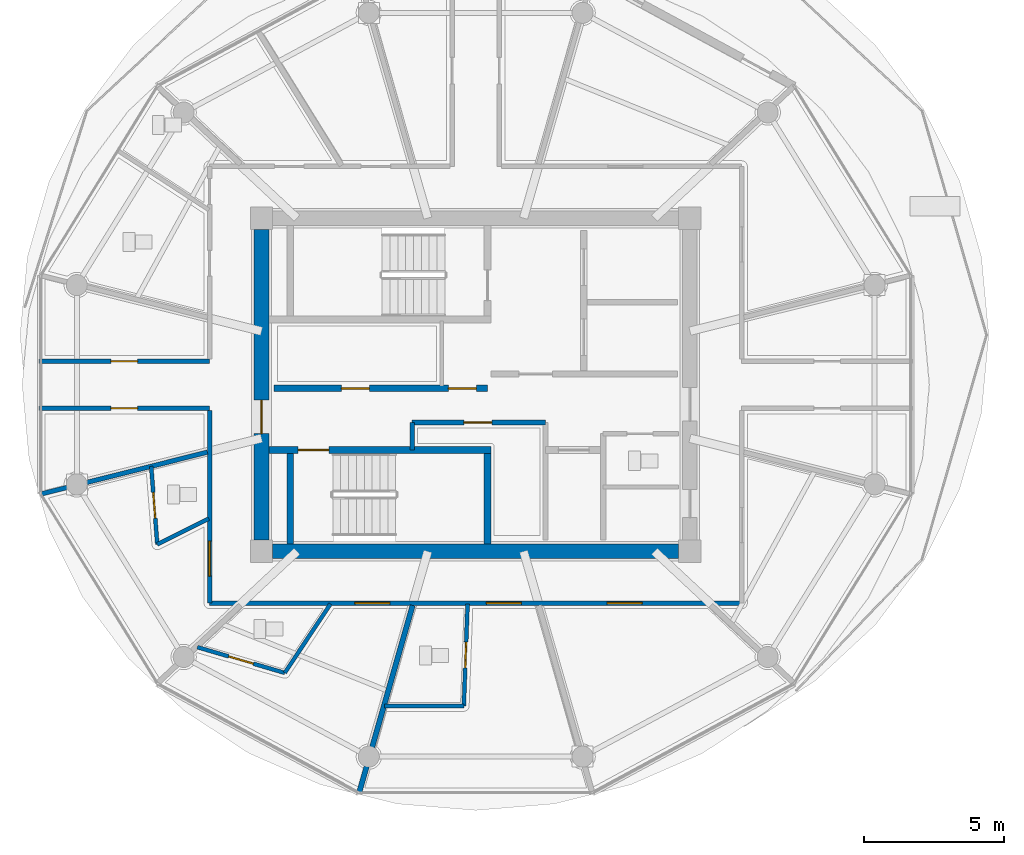
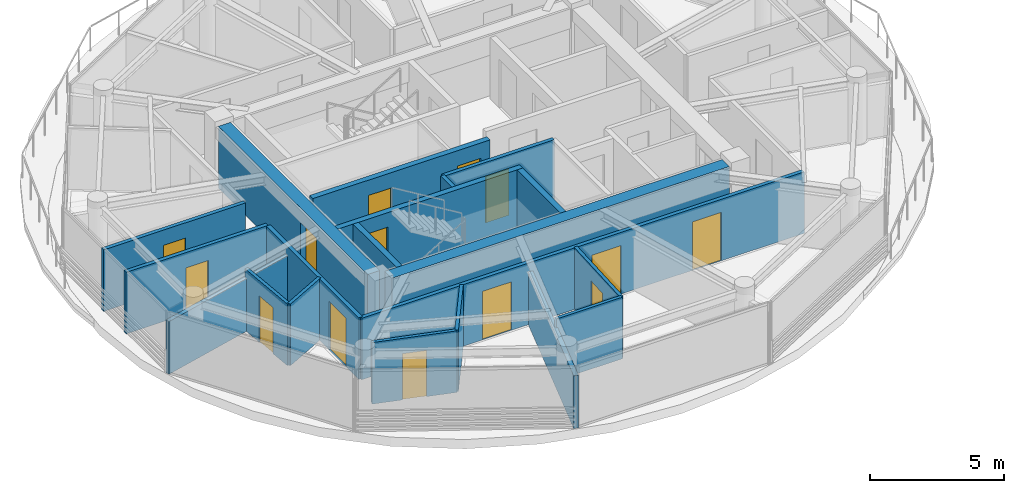
# One storey, part 10 of 28: 20 walls, 14 doors, 14 openings.
"""IFC4 building model written with IfcOpenShell, lengths in metres."""

from ifc_helpers import new_model, si_unit, direction, frame, frame_2d, origin, place, context, subcontext, project, spatial, rectangle, extrude, source, transform, mapped, material, layer, layer_set, type_object, type_shapes, element, fill, save


model = new_model("IFC4")

# Units and contexts
model_context = context("Model", 3, precision=1e-05, world=origin(), true_north=direction((0.0, 1.0)))
body_context = subcontext(model_context, "Body", "Model", "MODEL_VIEW")
ifc_project = project(units=[si_unit("LENGTHUNIT", "METRE"), si_unit("AREAUNIT", "SQUARE_METRE"), si_unit("VOLUMEUNIT", "CUBIC_METRE"), si_unit("PLANEANGLEUNIT", "RADIAN"), si_unit("MASSUNIT", "GRAM", prefix="KILO")], contexts=[model_context])

# Site, building, storey
site_placement = place(None, origin())
site = spatial("IfcSite", under=ifc_project, at=site_placement, CompositionType="ELEMENT")
building_placement = place(site_placement, origin())
building = spatial("IfcBuilding", under=site, at=building_placement, Name="Norrkilde Senior Care Towers", CompositionType="ELEMENT")
storey_placement = place(building_placement, frame((0.0, 0.0, 190.64990234375)))
storey = spatial("IfcBuildingStorey", under=building, at=storey_placement, Name="L59", CompositionType="ELEMENT", Elevation=190.64990234375)

# Wall
ifc_material_1 = material(Name="Concrete C50/60", Category="concrete")
ifc_layer_1 = layer(ifc_material_1, 0.52001953125)
ifc_layer_set_1 = layer_set([ifc_layer_1], Name="Concrete C50/60")
wall_type_1 = type_object("IfcWallType", Name="Core Shear Wall Z4 520", PredefinedType="SHEAR", material=ifc_layer_set_1)
shared_shape_1 = source(origin(), body_context, "Body", "SweptSolid", [
    extrude(rectangle(XDim=14.5, YDim=0.52001953125, at=frame_2d((7.25, 0.0))), origin(), (0.0, 0.0, 1.0), 2.81005859375),
])
wall_1_placement = place(storey_placement, frame((-20.75, -5.949951171875, 0.0), z_axis=(0.0, 0.0, 1.0), x_axis=(-1.0, 0.0, 0.0)))
element("IfcWall", 1, at=wall_1_placement, inside=storey, type_object=wall_type_1, Name="L59 Core W South Shear Wall", PredefinedType="SHEAR", context=body_context, shape_type="MappedRepresentation", body=[
    mapped(shared_shape_1, transform((0.0, 0.0, 0.0), x_axis=(1.0, 0.0, 0.0), y_axis=(0.0, 1.0, 0.0), z_axis=(0.0, 0.0, 1.0), scale=1.0)),
])

# Wall, opening, door
shared_shape_2 = source(origin(), body_context, "Body", "SweptSolid", [
    extrude(rectangle(XDim=11.10009765625, YDim=0.52001953125, at=frame_2d((5.550048828125, 0.0))), origin(), (0.0, 0.0, 1.0), 2.81005859375),
])
type_shapes(wall_type_1, [shared_shape_1, shared_shape_2])
wall_2_placement = place(storey_placement, frame((-35.64990234375, -5.550048828125, 0.0), z_axis=(0.0, 0.0, 1.0), x_axis=(0.0, 1.0, 0.0)))
wall_2 = element("IfcWall", 2, at=wall_2_placement, inside=storey, type_object=wall_type_1, Name="L59 Core W West Shear Wall", PredefinedType="SHEAR", context=body_context, shape_type="MappedRepresentation", body=[
    mapped(shared_shape_2, transform((0.0, 0.0, 0.0), x_axis=(1.0, 0.0, 0.0), y_axis=(0.0, 1.0, 0.0), z_axis=(0.0, 0.0, 1.0), scale=1.0)),
])
opening_1_placement = place(wall_2_placement, frame((3.800048828125, 0.0, 0.0)))
opening_1 = element("IfcOpeningElement", 3, at=opening_1_placement, cuts=wall_2, Name="Opening D-04", PredefinedType="OPENING", context=body_context, shape_type="SweptSolid", body=[
    extrude(rectangle(XDim=1.199951171875, YDim=2.14990234375, at=frame_2d((0.60009765625, 1.074951171875))), frame((0.0, 0.27001953125, 0.0), z_axis=(0.0, -1.0, 0.0), x_axis=(1.0, 0.0, 0.0)), (0.0, 0.0, 1.0), 0.5400390625),
])
ifc_material_2 = material(Name="Galvanised Painted Steel", Category="steel")
door_type_1 = type_object("IfcDoorType", Name="Firefighting Lobby Fire Door 1200x2150", OperationType="NOTDEFINED", PredefinedType="DOOR", material=ifc_material_2)
shared_shape_3 = source(origin(), body_context, "Body", "SweptSolid", [
    extrude(rectangle(XDim=1.199951171875, YDim=2.14990234375, at=frame_2d((0.60009765625, 1.074951171875))), frame((0.0, 0.02490234375, 0.0), z_axis=(0.0, -1.0, 0.0), x_axis=(1.0, 0.0, 0.0)), (0.0, 0.0, 1.0), 0.050048828125),
])
type_shapes(door_type_1, [shared_shape_3])
door_1_placement = place(opening_1_placement, frame((1.199951171875, 0.0, 0.0), z_axis=(0.0, 0.0, 1.0), x_axis=(-1.0, 0.0, 0.0)))
door_1 = element("IfcDoor", 4, at=door_1_placement, inside=storey, type_object=door_type_1, Name="L59 Core W West Portal Door", OperationType="SINGLE_SWING_LEFT", OverallHeight=2.14990234375, OverallWidth=1.199951171875, PredefinedType="DOOR", context=body_context, shape_type="MappedRepresentation", body=[
    mapped(shared_shape_3, transform((0.0, 0.0, 0.0), x_axis=(1.0, 0.0, 0.0), y_axis=(0.0, 1.0, 0.0), z_axis=(0.0, 0.0, 1.0), scale=1.0)),
])
fill(opening_1, door_1)

# Wall, openings, doors
ifc_material_3 = material(Name="Concrete C45/55", Category="concrete")
ifc_layer_2 = layer(ifc_material_3, 0.239990234375)
ifc_layer_set_2 = layer_set([ifc_layer_2], Name="Concrete C45/55")
wall_type_2 = type_object("IfcWallType", Name="Lift and Plant Rated Enclosure Partition 240", PredefinedType="PARTITIONING", material=ifc_layer_set_2)
shared_shape_4 = source(origin(), body_context, "Body", "SweptSolid", [
    extrude(rectangle(XDim=7.619873046875, YDim=0.239990234375, at=frame_2d((3.81005859375, 0.0))), origin(), (0.0, 0.0, 1.0), 2.795166015625),
])
type_shapes(wall_type_2, [shared_shape_4])
wall_3_placement = place(storey_placement, frame((-35.199951171875, -0.1298828125, 0.0), z_axis=(0.0, 0.0, 1.0), x_axis=(1.0, 0.0, 0.0)))
wall_3 = element("IfcWall", 5, at=wall_3_placement, inside=storey, type_object=wall_type_2, Name="WL-INT-L59-W-PKAS", PredefinedType="PARTITIONING", context=body_context, shape_type="MappedRepresentation", body=[
    mapped(shared_shape_4, transform((0.0, 0.0, 0.0), x_axis=(1.0, 0.0, 0.0), y_axis=(0.0, 1.0, 0.0), z_axis=(0.0, 0.0, 1.0), scale=1.0)),
])
opening_2_placement = place(wall_3_placement, frame((6.219970703125, 0.0, 0.0)))
opening_2 = element("IfcOpeningElement", 6, at=opening_2_placement, cuts=wall_3, Name="Opening D-10", PredefinedType="OPENING", context=body_context, shape_type="SweptSolid", body=[
    extrude(rectangle(XDim=1.0, YDim=2.10009765625, at=frame_2d((0.5, 1.050048828125))), frame((0.0, 0.1298828125, 0.0), z_axis=(0.0, -1.0, 0.0), x_axis=(1.0, 0.0, 0.0)), (0.0, 0.0, 1.0), 0.260009765625),
])
opening_3_placement = place(wall_3_placement, frame((2.39990234375, 0.0, 0.0)))
opening_3 = element("IfcOpeningElement", 7, at=opening_3_placement, cuts=wall_3, Name="Opening D-10", PredefinedType="OPENING", context=body_context, shape_type="SweptSolid", body=[
    extrude(rectangle(XDim=1.0, YDim=2.10009765625, at=frame_2d((0.5, 1.050048828125))), frame((0.0, 0.1298828125, 0.0), z_axis=(0.0, -1.0, 0.0), x_axis=(1.0, 0.0, 0.0)), (0.0, 0.0, 1.0), 0.260009765625),
])
door_type_2 = type_object("IfcDoorType", Name="Plant and Riser Rated Door 1000x2100", OperationType="NOTDEFINED", PredefinedType="DOOR", material=ifc_material_2)
shared_shape_5 = source(origin(), body_context, "Body", "SweptSolid", [
    extrude(rectangle(XDim=1.0, YDim=2.10009765625, at=frame_2d((0.5, 1.050048828125))), frame((0.0, 0.02490234375, 0.0), z_axis=(0.0, -1.0, 0.0), x_axis=(1.0, 0.0, 0.0)), (0.0, 0.0, 1.0), 0.050048828125),
])
type_shapes(door_type_2, [shared_shape_5])
door_2_placement = place(opening_2_placement, frame((1.0, 0.0, 0.0), z_axis=(0.0, 0.0, 1.0), x_axis=(-1.0, 0.0, 0.0)))
door_2 = element("IfcDoor", 8, at=door_2_placement, inside=storey, type_object=door_type_2, Name="L59 Electrical Riser W Door", OperationType="SINGLE_SWING_LEFT", OverallHeight=2.10009765625, OverallWidth=1.0, PredefinedType="DOOR", context=body_context, shape_type="MappedRepresentation", body=[
    mapped(shared_shape_5, transform((0.0, 0.0, 0.0), x_axis=(1.0, 0.0, 0.0), y_axis=(0.0, 1.0, 0.0), z_axis=(0.0, 0.0, 1.0), scale=1.0)),
])
fill(opening_2, door_2)
door_3_placement = place(opening_3_placement, frame((1.0, 0.0, 0.0), z_axis=(0.0, 0.0, 1.0), x_axis=(-1.0, 0.0, 0.0)))
door_3 = element("IfcDoor", 9, at=door_3_placement, inside=storey, type_object=door_type_2, Name="L59 Clean Supply Store W Door", OperationType="SINGLE_SWING_LEFT", OverallHeight=2.10009765625, OverallWidth=1.0, PredefinedType="DOOR", context=body_context, shape_type="MappedRepresentation", body=[
    mapped(shared_shape_5, transform((0.0, 0.0, 0.0), x_axis=(1.0, 0.0, 0.0), y_axis=(0.0, 1.0, 0.0), z_axis=(0.0, 0.0, 1.0), scale=1.0)),
])
fill(opening_3, door_3)

ifc_material_4 = material(Name="Gypsum Acoustic Board")
ifc_layer_3 = layer(ifc_material_4, 0.1650390625)
ifc_layer_set_3 = layer_set([ifc_layer_3], Name="Gypsum Acoustic Board")
wall_type_3 = type_object("IfcWallType", Name="Corridor Rated Partition 165", PredefinedType="PARTITIONING", material=ifc_layer_set_3)
shared_shape_6 = source(origin(), body_context, "Body", "SweptSolid", [
    extrude(rectangle(XDim=19.0, YDim=0.1650390625, at=frame_2d((9.5, 0.0))), origin(), (0.0, 0.0, 1.0), 2.795166015625),
])
wall_4_placement = place(storey_placement, frame((-18.5, -7.800048828125, 0.0), z_axis=(0.0, 0.0, 1.0), x_axis=(-1.0, 0.0, 0.0)))
wall_4 = element("IfcWall", 10, at=wall_4_placement, inside=storey, type_object=wall_type_3, Name="WL-INT-L59-W-CRW-S-0", PredefinedType="PARTITIONING", context=body_context, shape_type="MappedRepresentation", body=[
    mapped(shared_shape_6, transform((0.0, 0.0, 0.0), x_axis=(1.0, 0.0, 0.0), y_axis=(0.0, 1.0, 0.0), z_axis=(0.0, 0.0, 1.0), scale=1.0)),
])
opening_4_placement = place(wall_4_placement, frame((12.56884765625, 0.0, 0.0)))
opening_4 = element("IfcOpeningElement", 11, at=opening_4_placement, cuts=wall_4, Name="Opening D-05", PredefinedType="OPENING", context=body_context, shape_type="SweptSolid", body=[
    extrude(rectangle(XDim=1.25, YDim=2.199951171875, at=frame_2d((0.625, 1.10009765625))), frame((0.0, 0.092529296875, 0.0), z_axis=(0.0, -1.0, 0.0), x_axis=(1.0, 0.0, 0.0)), (0.0, 0.0, 1.0), 0.18505859375),
])
opening_5_placement = place(wall_4_placement, frame((7.868408203125, 0.0, 0.0)))
opening_5 = element("IfcOpeningElement", 12, at=opening_5_placement, cuts=wall_4, Name="Opening D-05", PredefinedType="OPENING", context=body_context, shape_type="SweptSolid", body=[
    extrude(rectangle(XDim=1.25, YDim=2.199951171875, at=frame_2d((0.625, 1.10009765625))), frame((0.0, 0.092529296875, 0.0), z_axis=(0.0, -1.0, 0.0), x_axis=(1.0, 0.0, 0.0)), (0.0, 0.0, 1.0), 0.18505859375),
])
opening_6_placement = place(wall_4_placement, frame((3.55859375, 0.0, 0.0)))
opening_6 = element("IfcOpeningElement", 13, at=opening_6_placement, cuts=wall_4, Name="Opening D-05", PredefinedType="OPENING", context=body_context, shape_type="SweptSolid", body=[
    extrude(rectangle(XDim=1.25, YDim=2.199951171875, at=frame_2d((0.625, 1.10009765625))), frame((0.0, 0.092529296875, 0.0), z_axis=(0.0, -1.0, 0.0), x_axis=(1.0, 0.0, 0.0)), (0.0, 0.0, 1.0), 0.18505859375),
])
ifc_material_5 = material(Name="Nordic Ash Timber", Category="wood")
door_type_3 = type_object("IfcDoorType", Name="Care Bedroom Bariatric Door 1250x2200", OperationType="NOTDEFINED", PredefinedType="DOOR", material=ifc_material_5)
shared_shape_7 = source(origin(), body_context, "Body", "SweptSolid", [
    extrude(rectangle(XDim=1.25, YDim=2.199951171875, at=frame_2d((0.625, 1.10009765625))), frame((0.0, 0.02490234375, 0.0), z_axis=(0.0, -1.0, 0.0), x_axis=(1.0, 0.0, 0.0)), (0.0, 0.0, 1.0), 0.050048828125),
])
type_shapes(door_type_3, [shared_shape_7])
door_4_placement = place(opening_4_placement, frame((1.25, 0.0, 0.0), z_axis=(0.0, 0.0, 1.0), x_axis=(-1.0, 0.0, 0.0)))
door_4 = element("IfcDoor", 14, at=door_4_placement, inside=storey, type_object=door_type_3, Name="L59 Care Suite 5907 Entrance Door", OperationType="SINGLE_SWING_RIGHT", OverallHeight=2.199951171875, OverallWidth=1.25, PredefinedType="DOOR", context=body_context, shape_type="MappedRepresentation", body=[
    mapped(shared_shape_7, transform((0.0, 0.0, 0.0), x_axis=(1.0, 0.0, 0.0), y_axis=(0.0, 1.0, 0.0), z_axis=(0.0, 0.0, 1.0), scale=1.0)),
])
fill(opening_4, door_4)
door_5_placement = place(opening_5_placement, frame((1.25, 0.0, 0.0), z_axis=(0.0, 0.0, 1.0), x_axis=(-1.0, 0.0, 0.0)))
door_5 = element("IfcDoor", 15, at=door_5_placement, inside=storey, type_object=door_type_3, Name="L59 Care Suite 5908 Entrance Door", OperationType="SINGLE_SWING_LEFT", OverallHeight=2.199951171875, OverallWidth=1.25, PredefinedType="DOOR", context=body_context, shape_type="MappedRepresentation", body=[
    mapped(shared_shape_7, transform((0.0, 0.0, 0.0), x_axis=(1.0, 0.0, 0.0), y_axis=(0.0, 1.0, 0.0), z_axis=(0.0, 0.0, 1.0), scale=1.0)),
])
fill(opening_5, door_5)
door_6_placement = place(opening_6_placement, frame((1.25, 0.0, 0.0), z_axis=(0.0, 0.0, 1.0), x_axis=(-1.0, 0.0, 0.0)))
door_6 = element("IfcDoor", 16, at=door_6_placement, inside=storey, type_object=door_type_3, Name="L59 Household Therapeutic Kitchen Door", OperationType="SINGLE_SWING_RIGHT", OverallHeight=2.199951171875, OverallWidth=1.25, PredefinedType="DOOR", context=body_context, shape_type="MappedRepresentation", body=[
    mapped(shared_shape_7, transform((0.0, 0.0, 0.0), x_axis=(1.0, 0.0, 0.0), y_axis=(0.0, 1.0, 0.0), z_axis=(0.0, 0.0, 1.0), scale=1.0)),
])
fill(opening_6, door_6)

# Wall, opening, door
shared_shape_8 = source(origin(), body_context, "Body", "SweptSolid", [
    extrude(rectangle(XDim=6.880126953125, YDim=0.1650390625, at=frame_2d((3.43994140625, 0.0))), origin(), (0.0, 0.0, 1.0), 2.795166015625),
])
wall_5_placement = place(storey_placement, frame((-37.5, -7.800048828125, 0.0), z_axis=(0.0, 0.0, 1.0), x_axis=(0.0, 1.0, 0.0)))
wall_5 = element("IfcWall", 17, at=wall_5_placement, inside=storey, type_object=wall_type_3, Name="WL-INT-L59-W-CRW-W-0", PredefinedType="PARTITIONING", context=body_context, shape_type="MappedRepresentation", body=[
    mapped(shared_shape_8, transform((0.0, 0.0, 0.0), x_axis=(1.0, 0.0, 0.0), y_axis=(0.0, 1.0, 0.0), z_axis=(0.0, 0.0, 1.0), scale=1.0)),
])
opening_7_placement = place(wall_5_placement, frame((0.96826171875, 0.0, 0.0)))
opening_7 = element("IfcOpeningElement", 18, at=opening_7_placement, cuts=wall_5, Name="Opening D-05", PredefinedType="OPENING", context=body_context, shape_type="SweptSolid", body=[
    extrude(rectangle(XDim=1.25, YDim=2.199951171875, at=frame_2d((0.625, 1.10009765625))), frame((0.0, 0.092529296875, 0.0), z_axis=(0.0, -1.0, 0.0), x_axis=(1.0, 0.0, 0.0)), (0.0, 0.0, 1.0), 0.18505859375),
])
door_7_placement = place(opening_7_placement, frame((1.25, 0.0, 0.0), z_axis=(0.0, 0.0, 1.0), x_axis=(-1.0, 0.0, 0.0)))
door_7 = element("IfcDoor", 19, at=door_7_placement, inside=storey, type_object=door_type_3, Name="L59 Care Suite 5906 Entrance Door", OperationType="SINGLE_SWING_LEFT", OverallHeight=2.199951171875, OverallWidth=1.25, PredefinedType="DOOR", context=body_context, shape_type="MappedRepresentation", body=[
    mapped(shared_shape_7, transform((0.0, 0.0, 0.0), x_axis=(1.0, 0.0, 0.0), y_axis=(0.0, 1.0, 0.0), z_axis=(0.0, 0.0, 1.0), scale=1.0)),
])
fill(opening_7, door_7)

shared_shape_9 = source(origin(), body_context, "Body", "SweptSolid", [
    extrude(rectangle(XDim=4.77001953125, YDim=0.1650390625, at=frame_2d((2.385009765625, 0.0))), origin(), (0.0, 0.0, 1.0), 2.795166015625),
])
wall_6_placement = place(storey_placement, frame((-30.27001953125, -1.35009765625, 0.0), z_axis=(0.0, 0.0, 1.0), x_axis=(1.0, 0.0, 0.0)))
wall_6 = element("IfcWall", 20, at=wall_6_placement, inside=storey, type_object=wall_type_3, Name="WL-INT-L59-W-FR2N", PredefinedType="PARTITIONING", context=body_context, shape_type="MappedRepresentation", body=[
    mapped(shared_shape_9, transform((0.0, 0.0, 0.0), x_axis=(1.0, 0.0, 0.0), y_axis=(0.0, 1.0, 0.0), z_axis=(0.0, 0.0, 1.0), scale=1.0)),
])
opening_8_placement = place(wall_6_placement, frame((1.85009765625, 0.0, 0.0)))
opening_8 = element("IfcOpeningElement", 21, at=opening_8_placement, cuts=wall_6, Name="Opening D-10", PredefinedType="OPENING", context=body_context, shape_type="SweptSolid", body=[
    extrude(rectangle(XDim=1.0, YDim=2.10009765625, at=frame_2d((0.5, 1.050048828125))), frame((0.0, 0.092529296875, 0.0), z_axis=(0.0, -1.0, 0.0), x_axis=(1.0, 0.0, 0.0)), (0.0, 0.0, 1.0), 0.18505859375),
])
door_8_placement = place(opening_8_placement, origin())
door_8 = element("IfcDoor", 22, at=door_8_placement, inside=storey, type_object=door_type_2, Name="L59 Core Pantry W Door", OperationType="SINGLE_SWING_RIGHT", OverallHeight=2.10009765625, OverallWidth=1.0, PredefinedType="DOOR", context=body_context, shape_type="MappedRepresentation", body=[
    mapped(shared_shape_5, transform((0.0, 0.0, 0.0), x_axis=(1.0, 0.0, 0.0), y_axis=(0.0, 1.0, 0.0), z_axis=(0.0, 0.0, 1.0), scale=1.0)),
])
fill(opening_8, door_8)

# Wall
shared_shape_10 = source(origin(), body_context, "Body", "SweptSolid", [
    extrude(rectangle(XDim=0.97998046875, YDim=0.1650390625, at=frame_2d((0.489990234375, 0.0))), origin(), (0.0, 0.0, 1.0), 2.795166015625),
])
wall_7_placement = place(storey_placement, frame((-30.27001953125, -2.330078125, 0.0), z_axis=(0.0, 0.0, 1.0), x_axis=(0.0, 1.0, 0.0)))
element("IfcWall", 23, at=wall_7_placement, inside=storey, type_object=wall_type_3, Name="WL-INT-L59-W-FR2W", PredefinedType="PARTITIONING", context=body_context, shape_type="MappedRepresentation", body=[
    mapped(shared_shape_10, transform((0.0, 0.0, 0.0), x_axis=(1.0, 0.0, 0.0), y_axis=(0.0, 1.0, 0.0), z_axis=(0.0, 0.0, 1.0), scale=1.0)),
])

# Wall, opening, door
ifc_layer_4 = layer(ifc_material_3, 0.239990234375)
ifc_layer_set_4 = layer_set([ifc_layer_4], Name="Concrete C45/55")
wall_type_4 = type_object("IfcWallType", Name="Shaft and Stair Enclosure Wall 240", PredefinedType="PARTITIONING", material=ifc_layer_set_4)
shared_shape_11 = source(origin(), body_context, "Body", "SweptSolid", [
    extrude(rectangle(XDim=7.929931640625, YDim=0.239990234375, at=frame_2d((3.96484375, 0.0))), origin(), (0.0, 0.0, 1.0), 2.81005859375),
])
wall_8_placement = place(storey_placement, frame((-35.389892578125, -2.330078125, 0.0), z_axis=(0.0, 0.0, 1.0), x_axis=(1.0, 0.0, 0.0)))
wall_8 = element("IfcWall", 24, at=wall_8_placement, inside=storey, type_object=wall_type_4, Name="WL-INT-L59-W-ST2N", PredefinedType="PARTITIONING", context=body_context, shape_type="MappedRepresentation", body=[
    mapped(shared_shape_11, transform((0.0, 0.0, 0.0), x_axis=(1.0, 0.0, 0.0), y_axis=(0.0, 1.0, 0.0), z_axis=(0.0, 0.0, 1.0), scale=1.0)),
])
opening_9_placement = place(wall_8_placement, frame((1.050048828125, 0.0, 0.0)))
opening_9 = element("IfcOpeningElement", 25, at=opening_9_placement, cuts=wall_8, Name="Opening D-03", PredefinedType="OPENING", context=body_context, shape_type="SweptSolid", body=[
    extrude(rectangle(XDim=1.10009765625, YDim=2.14990234375, at=frame_2d((0.550048828125, 1.074951171875))), frame((0.0, 0.1298828125, 0.0), z_axis=(0.0, -1.0, 0.0), x_axis=(1.0, 0.0, 0.0)), (0.0, 0.0, 1.0), 0.260009765625),
])
door_type_4 = type_object("IfcDoorType", Name="Stairwell Protected Fire Door 1100x2150", OperationType="NOTDEFINED", PredefinedType="DOOR", material=ifc_material_2)
shared_shape_12 = source(origin(), body_context, "Body", "SweptSolid", [
    extrude(rectangle(XDim=1.10009765625, YDim=2.14990234375, at=frame_2d((0.550048828125, 1.074951171875))), frame((0.0, 0.02490234375, 0.0), z_axis=(0.0, -1.0, 0.0), x_axis=(1.0, 0.0, 0.0)), (0.0, 0.0, 1.0), 0.050048828125),
])
type_shapes(door_type_4, [shared_shape_12])
door_9_placement = place(opening_9_placement, frame((1.10009765625, 0.0, 0.0), z_axis=(0.0, 0.0, 1.0), x_axis=(-1.0, 0.0, 0.0)))
door_9 = element("IfcDoor", 26, at=door_9_placement, inside=storey, type_object=door_type_4, Name="L59 Stair W2 Fire Door", OperationType="SINGLE_SWING_RIGHT", OverallHeight=2.14990234375, OverallWidth=1.10009765625, PredefinedType="DOOR", context=body_context, shape_type="MappedRepresentation", body=[
    mapped(shared_shape_12, transform((0.0, 0.0, 0.0), x_axis=(1.0, 0.0, 0.0), y_axis=(0.0, 1.0, 0.0), z_axis=(0.0, 0.0, 1.0), scale=1.0)),
])
fill(opening_9, door_9)

# Walls
shared_shape_13 = source(origin(), body_context, "Body", "SweptSolid", [
    extrude(rectangle(XDim=3.239990234375, YDim=0.239990234375, at=frame_2d((1.6201171875, 0.0))), origin(), (0.0, 0.0, 1.0), 2.81005859375),
])
type_shapes(wall_type_4, [shared_shape_11, shared_shape_13])
for number, where, z_axis, x_axis, name in (
    (27, (-34.6201171875, -5.68994140625, 0.0), (0.0, 0.0, 1.0), (0.0, 1.0, 0.0), "WL-INT-L59-W-ST2W"),
    (28, (-27.580078125, -5.68994140625, 0.0), (0.0, 0.0, 1.0), (0.0, 1.0, 0.0), "WL-INT-L59-W-ST2E"),
):
    element("IfcWall", number, at=place(storey_placement, frame(where, z_axis=z_axis, x_axis=x_axis)), inside=storey, type_object=wall_type_4, Name=name, PredefinedType="PARTITIONING", context=body_context, shape_type="MappedRepresentation", body=[
        mapped(shared_shape_13, transform((0.0, 0.0, 0.0), x_axis=(1.0, 0.0, 0.0), y_axis=(0.0, 1.0, 0.0), z_axis=(0.0, 0.0, 1.0), scale=1.0)),
    ])
shared_shape_14 = source(origin(), body_context, "Body", "SweptSolid", [
    extrude(rectangle(XDim=6.1572265625, YDim=0.1650390625, at=frame_2d((3.07861328125, 0.0))), origin(), (0.0, 0.0, 1.0), 2.39501953125),
])
wall_9_placement = place(storey_placement, frame((-37.580078125, -2.407470703125, 0.0), z_axis=(0.0, 0.0, 1.0), x_axis=(-0.969840867184, -0.243738984038, 0.0)))
element("IfcWall", 29, at=wall_9_placement, inside=storey, type_object=wall_type_3, Name="WL-INT-L59-W-DEM-06-0", PredefinedType="PARTITIONING", context=body_context, shape_type="MappedRepresentation", body=[
    mapped(shared_shape_14, transform((0.0, 0.0, 0.0), x_axis=(1.0, 0.0, 0.0), y_axis=(0.0, 1.0, 0.0), z_axis=(0.0, 0.0, 1.0), scale=1.0)),
])

# Wall, opening, door
shared_shape_15 = source(origin(), body_context, "Body", "SweptSolid", [
    extrude(rectangle(XDim=6.101318359375, YDim=0.1650390625, at=frame_2d((3.05078125, 0.0))), origin(), (0.0, 0.0, 1.0), 2.795166015625),
])
type_shapes(wall_type_3, [shared_shape_6, shared_shape_8, shared_shape_9, shared_shape_10, shared_shape_14, shared_shape_15])
wall_10_placement = place(storey_placement, frame((-43.601318359375, 0.840087890625, 0.0), z_axis=(0.0, 0.0, 1.0), x_axis=(1.0, 0.0, 0.0)))
wall_10 = element("IfcWall", 30, at=wall_10_placement, inside=storey, type_object=wall_type_3, Name="WL-INT-L59-W-SPK-W1-0", PredefinedType="PARTITIONING", context=body_context, shape_type="MappedRepresentation", body=[
    mapped(shared_shape_15, transform((0.0, 0.0, 0.0), x_axis=(1.0, 0.0, 0.0), y_axis=(0.0, 1.0, 0.0), z_axis=(0.0, 0.0, 1.0), scale=1.0)),
])
opening_10_placement = place(wall_10_placement, frame((2.57568359375, 0.0, 0.0)))
opening_10 = element("IfcOpeningElement", 31, at=opening_10_placement, cuts=wall_10, Name="Opening D-07", PredefinedType="OPENING", context=body_context, shape_type="SweptSolid", body=[
    extrude(rectangle(XDim=0.949951171875, YDim=2.10009765625, at=frame_2d((0.47509765625, 1.050048828125))), frame((0.0, 0.092529296875, 0.0), z_axis=(0.0, -1.0, 0.0), x_axis=(1.0, 0.0, 0.0)), (0.0, 0.0, 1.0), 0.18505859375),
])
door_type_5 = type_object("IfcDoorType", Name="Internal Suite Bedroom Door 950x2100", OperationType="NOTDEFINED", PredefinedType="DOOR", material=ifc_material_5)
shared_shape_16 = source(origin(), body_context, "Body", "SweptSolid", [
    extrude(rectangle(XDim=0.949951171875, YDim=2.10009765625, at=frame_2d((0.47509765625, 1.050048828125))), frame((0.0, 0.02490234375, 0.0), z_axis=(0.0, -1.0, 0.0), x_axis=(1.0, 0.0, 0.0)), (0.0, 0.0, 1.0), 0.050048828125),
])
type_shapes(door_type_5, [shared_shape_16])
door_10_placement = place(opening_10_placement, frame((0.949951171875, 0.0, 0.0), z_axis=(0.0, 0.0, 1.0), x_axis=(-1.0, 0.0, 0.0)))
door_10 = element("IfcDoor", 32, at=door_10_placement, inside=storey, type_object=door_type_5, Name="L59 Sun Reading Lounge 2 Door", OperationType="SINGLE_SWING_LEFT", OverallHeight=2.10009765625, OverallWidth=0.949951171875, PredefinedType="DOOR", context=body_context, shape_type="MappedRepresentation", body=[
    mapped(shared_shape_16, transform((0.0, 0.0, 0.0), x_axis=(1.0, 0.0, 0.0), y_axis=(0.0, 1.0, 0.0), z_axis=(0.0, 0.0, 1.0), scale=1.0)),
])
fill(opening_10, door_10)

wall_11_placement = place(storey_placement, frame((-37.5, -0.840087890625, 0.0), z_axis=(0.0, 0.0, 1.0), x_axis=(-1.0, 0.0, 0.0)))
wall_11 = element("IfcWall", 33, at=wall_11_placement, inside=storey, type_object=wall_type_3, Name="WL-INT-L59-W-SPK-W2-0", PredefinedType="PARTITIONING", context=body_context, shape_type="MappedRepresentation", body=[
    mapped(shared_shape_15, transform((0.0, 0.0, 0.0), x_axis=(1.0, 0.0, 0.0), y_axis=(0.0, 1.0, 0.0), z_axis=(0.0, 0.0, 1.0), scale=1.0)),
])
opening_11_placement = place(wall_11_placement, frame((2.57568359375, 0.0, 0.0)))
opening_11 = element("IfcOpeningElement", 34, at=opening_11_placement, cuts=wall_11, Name="Opening D-07", PredefinedType="OPENING", context=body_context, shape_type="SweptSolid", body=[
    extrude(rectangle(XDim=0.949951171875, YDim=2.10009765625, at=frame_2d((0.47509765625, 1.050048828125))), frame((0.0, 0.092529296875, 0.0), z_axis=(0.0, -1.0, 0.0), x_axis=(1.0, 0.0, 0.0)), (0.0, 0.0, 1.0), 0.18505859375),
])
door_11_placement = place(opening_11_placement, frame((0.949951171875, 0.0, 0.0), z_axis=(0.0, 0.0, 1.0), x_axis=(-1.0, 0.0, 0.0)))
door_11 = element("IfcDoor", 35, at=door_11_placement, inside=storey, type_object=door_type_5, Name="L59 Sun Reading Lounge 1 Door", OperationType="SINGLE_SWING_RIGHT", OverallHeight=2.10009765625, OverallWidth=0.949951171875, PredefinedType="DOOR", context=body_context, shape_type="MappedRepresentation", body=[
    mapped(shared_shape_16, transform((0.0, 0.0, 0.0), x_axis=(1.0, 0.0, 0.0), y_axis=(0.0, 1.0, 0.0), z_axis=(0.0, 0.0, 1.0), scale=1.0)),
])
fill(opening_11, door_11)

# Wall
ifc_layer_5 = layer(ifc_material_4, 0.139892578125)
ifc_layer_set_5 = layer_set([ifc_layer_5], Name="Gypsum Acoustic Board")
wall_type_5 = type_object("IfcWallType", Name="En-suite Wet Room Wall 140", PredefinedType="PARTITIONING", material=ifc_layer_set_5)
shared_shape_17 = source(origin(), body_context, "Body", "SweptSolid", [
    extrude(rectangle(XDim=2.059814453125, YDim=0.139892578125, at=frame_2d((1.02978515625, 0.0))), origin(), (0.0, 0.0, 1.0), 2.795166015625),
])
wall_12_placement = place(storey_placement, frame((-37.530029296875, -4.7783203125, 0.0), z_axis=(0.0, 0.0, 1.0), x_axis=(-0.893952568722, -0.448161583444, 0.0)))
element("IfcWall", 36, at=wall_12_placement, inside=storey, type_object=wall_type_5, Name="WL-INT-L59-W-ES-06", PredefinedType="PARTITIONING", context=body_context, shape_type="MappedRepresentation", body=[
    mapped(shared_shape_17, transform((0.0, 0.0, 0.0), x_axis=(1.0, 0.0, 0.0), y_axis=(0.0, 1.0, 0.0), z_axis=(0.0, 0.0, 1.0), scale=1.0)),
])

# Wall, opening, door
shared_shape_18 = source(origin(), body_context, "Body", "SweptSolid", [
    extrude(rectangle(XDim=2.79833984375, YDim=0.139892578125, at=frame_2d((1.399169921875, 0.0))), origin(), (0.0, 0.0, 1.0), 2.795166015625),
])
wall_13_placement = place(storey_placement, frame((-39.371337890625, -5.701416015625, 0.0), z_axis=(0.0, 0.0, 1.0), x_axis=(-0.077823984089, 0.996967114553, 0.0)))
wall_13 = element("IfcWall", 37, at=wall_13_placement, inside=storey, type_object=wall_type_5, Name="WL-INT-L59-W-EF-06", PredefinedType="PARTITIONING", context=body_context, shape_type="MappedRepresentation", body=[
    mapped(shared_shape_18, transform((0.0, 0.0, 0.0), x_axis=(1.0, 0.0, 0.0), y_axis=(0.0, 1.0, 0.0), z_axis=(0.0, 0.0, 1.0), scale=1.0)),
])
opening_12_placement = place(wall_13_placement, frame((0.939208984375, 0.0, 0.0)))
opening_12 = element("IfcOpeningElement", 38, at=opening_12_placement, cuts=wall_13, Name="Opening D-08", PredefinedType="OPENING", context=body_context, shape_type="SweptSolid", body=[
    extrude(rectangle(XDim=0.919921875, YDim=2.10009765625, at=frame_2d((0.4599609375, 1.050048828125))), frame((0.0, 0.079833984375, 0.0), z_axis=(0.0, -1.0, 0.0), x_axis=(1.0, 0.0, 0.0)), (0.0, 0.0, 1.0), 0.159912109375),
])
door_type_6 = type_object("IfcDoorType", Name="Accessible Wet Room Door 920x2100", OperationType="NOTDEFINED", PredefinedType="DOOR", material=ifc_material_5)
shared_shape_19 = source(origin(), body_context, "Body", "SweptSolid", [
    extrude(rectangle(XDim=0.919921875, YDim=2.10009765625, at=frame_2d((0.4599609375, 1.050048828125))), frame((0.0, 0.02490234375, 0.0), z_axis=(0.0, -1.0, 0.0), x_axis=(1.0, 0.0, 0.0)), (0.0, 0.0, 1.0), 0.050048828125),
])
type_shapes(door_type_6, [shared_shape_19])
door_12_placement = place(opening_12_placement, origin())
door_12 = element("IfcDoor", 39, at=door_12_placement, inside=storey, type_object=door_type_6, Name="L59 Care Suite 5906 Bathroom Door", OperationType="SINGLE_SWING_RIGHT", OverallHeight=2.10009765625, OverallWidth=0.919921875, PredefinedType="DOOR", context=body_context, shape_type="MappedRepresentation", body=[
    mapped(shared_shape_19, transform((0.0, 0.0, 0.0), x_axis=(1.0, 0.0, 0.0), y_axis=(0.0, 1.0, 0.0), z_axis=(0.0, 0.0, 1.0), scale=1.0)),
])
fill(opening_12, door_12)

# Walls
ifc_layer_6 = layer(ifc_material_4, 0.18994140625)
ifc_layer_set_6 = layer_set([ifc_layer_6], Name="Gypsum Acoustic Board")
wall_type_6 = type_object("IfcWallType", Name="Unit Demising Acoustic Wall 190", PredefinedType="PARTITIONING", material=ifc_layer_set_6)
shared_shape_20 = source(origin(), body_context, "Body", "SweptSolid", [
    extrude(rectangle(XDim=6.973876953125, YDim=0.18994140625, at=frame_2d((3.48681640625, 0.0))), origin(), (0.0, 0.0, 1.0), 2.39501953125),
])
type_shapes(wall_type_6, [shared_shape_20])
wall_14_placement = place(storey_placement, frame((-30.251220703125, -7.8798828125, 0.0), z_axis=(0.0, 0.0, 1.0), x_axis=(-0.274707256801, -0.961527910703, 0.0)))
element("IfcWall", 40, at=wall_14_placement, inside=storey, type_object=wall_type_6, Name="WL-INT-L59-W-DEM-08-0", PredefinedType="PARTITIONING", context=body_context, shape_type="MappedRepresentation", body=[
    mapped(shared_shape_20, transform((0.0, 0.0, 0.0), x_axis=(1.0, 0.0, 0.0), y_axis=(0.0, 1.0, 0.0), z_axis=(0.0, 0.0, 1.0), scale=1.0)),
])
shared_shape_21 = source(origin(), body_context, "Body", "SweptSolid", [
    extrude(rectangle(XDim=2.95263671875, YDim=0.139892578125, at=frame_2d((1.476318359375, 0.0))), origin(), (0.0, 0.0, 1.0), 2.795166015625),
])
wall_15_placement = place(storey_placement, frame((-33.1884765625, -7.830078125, 0.0), z_axis=(0.0, 0.0, 1.0), x_axis=(-0.552427436518, -0.833560991999, 0.0)))
element("IfcWall", 41, at=wall_15_placement, inside=storey, type_object=wall_type_5, Name="WL-INT-L59-W-ES-07", PredefinedType="PARTITIONING", context=body_context, shape_type="MappedRepresentation", body=[
    mapped(shared_shape_21, transform((0.0, 0.0, 0.0), x_axis=(1.0, 0.0, 0.0), y_axis=(0.0, 1.0, 0.0), z_axis=(0.0, 0.0, 1.0), scale=1.0)),
])

# Wall, opening, door
shared_shape_22 = source(origin(), body_context, "Body", "SweptSolid", [
    extrude(rectangle(XDim=3.252197265625, YDim=0.139892578125, at=frame_2d((1.6259765625, 0.0))), origin(), (0.0, 0.0, 1.0), 2.795166015625),
])
wall_16_placement = place(storey_placement, frame((-34.819580078125, -10.291259765625, 0.0), z_axis=(0.0, 0.0, 1.0), x_axis=(-0.959294945864, 0.282406102695, 0.0)))
wall_16 = element("IfcWall", 42, at=wall_16_placement, inside=storey, type_object=wall_type_5, Name="WL-INT-L59-W-EF-07", PredefinedType="PARTITIONING", context=body_context, shape_type="MappedRepresentation", body=[
    mapped(shared_shape_22, transform((0.0, 0.0, 0.0), x_axis=(1.0, 0.0, 0.0), y_axis=(0.0, 1.0, 0.0), z_axis=(0.0, 0.0, 1.0), scale=1.0)),
])
opening_13_placement = place(wall_16_placement, frame((1.166259765625, 0.0, 0.0)))
opening_13 = element("IfcOpeningElement", 43, at=opening_13_placement, cuts=wall_16, Name="Opening D-08", PredefinedType="OPENING", context=body_context, shape_type="SweptSolid", body=[
    extrude(rectangle(XDim=0.919921875, YDim=2.10009765625, at=frame_2d((0.4599609375, 1.050048828125))), frame((0.0, 0.079833984375, 0.0), z_axis=(0.0, -1.0, 0.0), x_axis=(1.0, 0.0, 0.0)), (0.0, 0.0, 1.0), 0.159912109375),
])
door_13_placement = place(opening_13_placement, origin())
door_13 = element("IfcDoor", 44, at=door_13_placement, inside=storey, type_object=door_type_6, Name="L59 Care Suite 5907 Bathroom Door", OperationType="SINGLE_SWING_LEFT", OverallHeight=2.10009765625, OverallWidth=0.919921875, PredefinedType="DOOR", context=body_context, shape_type="MappedRepresentation", body=[
    mapped(shared_shape_19, transform((0.0, 0.0, 0.0), x_axis=(1.0, 0.0, 0.0), y_axis=(0.0, 1.0, 0.0), z_axis=(0.0, 0.0, 1.0), scale=1.0)),
])
fill(opening_13, door_13)

shared_shape_23 = source(origin(), body_context, "Body", "SweptSolid", [
    extrude(rectangle(XDim=3.64599609375, YDim=0.139892578125, at=frame_2d((1.822998046875, 0.0))), origin(), (0.0, 0.0, 1.0), 2.795166015625),
])
wall_17_placement = place(storey_placement, frame((-28.2900390625, -7.830078125, 0.0), z_axis=(0.0, 0.0, 1.0), x_axis=(-0.036962128131, -0.99931666707, 0.0)))
wall_17 = element("IfcWall", 45, at=wall_17_placement, inside=storey, type_object=wall_type_5, Name="WL-INT-L59-W-ES-08", PredefinedType="PARTITIONING", context=body_context, shape_type="MappedRepresentation", body=[
    mapped(shared_shape_23, transform((0.0, 0.0, 0.0), x_axis=(1.0, 0.0, 0.0), y_axis=(0.0, 1.0, 0.0), z_axis=(0.0, 0.0, 1.0), scale=1.0)),
])
opening_14_placement = place(wall_17_placement, frame((1.363037109375, 0.0, 0.0)))
opening_14 = element("IfcOpeningElement", 46, at=opening_14_placement, cuts=wall_17, Name="Opening D-08", PredefinedType="OPENING", context=body_context, shape_type="SweptSolid", body=[
    extrude(rectangle(XDim=0.919921875, YDim=2.10009765625, at=frame_2d((0.4599609375, 1.050048828125))), frame((0.0, 0.079833984375, 0.0), z_axis=(0.0, -1.0, 0.0), x_axis=(1.0, 0.0, 0.0)), (0.0, 0.0, 1.0), 0.159912109375),
])
door_14_placement = place(opening_14_placement, origin())
door_14 = element("IfcDoor", 47, at=door_14_placement, inside=storey, type_object=door_type_6, Name="L59 Care Suite 5908 Bathroom Door", OperationType="SINGLE_SWING_RIGHT", OverallHeight=2.10009765625, OverallWidth=0.919921875, PredefinedType="DOOR", context=body_context, shape_type="MappedRepresentation", body=[
    mapped(shared_shape_19, transform((0.0, 0.0, 0.0), x_axis=(1.0, 0.0, 0.0), y_axis=(0.0, 1.0, 0.0), z_axis=(0.0, 0.0, 1.0), scale=1.0)),
])
fill(opening_14, door_14)

# Wall
shared_shape_24 = source(origin(), body_context, "Body", "SweptSolid", [
    extrude(rectangle(XDim=2.834716796875, YDim=0.139892578125, at=frame_2d((1.41748046875, 0.0))), origin(), (0.0, 0.0, 1.0), 2.795166015625),
])
type_shapes(wall_type_5, [shared_shape_17, shared_shape_18, shared_shape_21, shared_shape_22, shared_shape_23, shared_shape_24])
wall_18_placement = place(storey_placement, frame((-28.4248046875, -11.4736328125, 0.0), z_axis=(0.0, 0.0, 1.0), x_axis=(-0.999999699589, 0.000775126802, 0.0)))
element("IfcWall", 48, at=wall_18_placement, inside=storey, type_object=wall_type_5, Name="WL-INT-L59-W-EF-08", PredefinedType="PARTITIONING", context=body_context, shape_type="MappedRepresentation", body=[
    mapped(shared_shape_24, transform((0.0, 0.0, 0.0), x_axis=(1.0, 0.0, 0.0), y_axis=(0.0, 1.0, 0.0), z_axis=(0.0, 0.0, 1.0), scale=1.0)),
])

save(model, "model.ifc")
